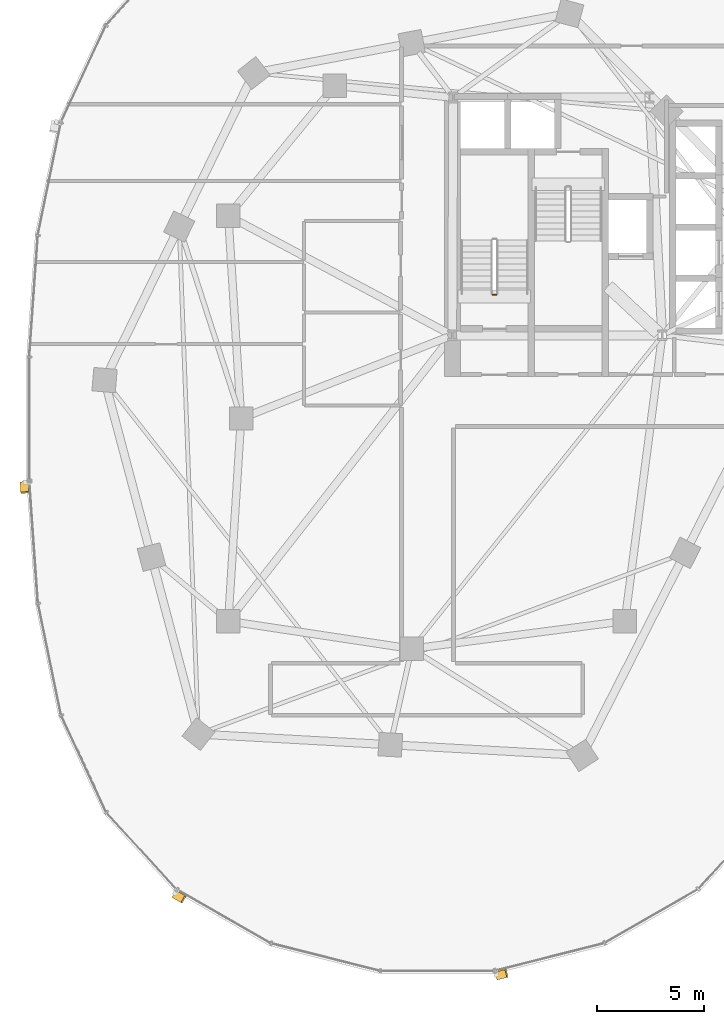
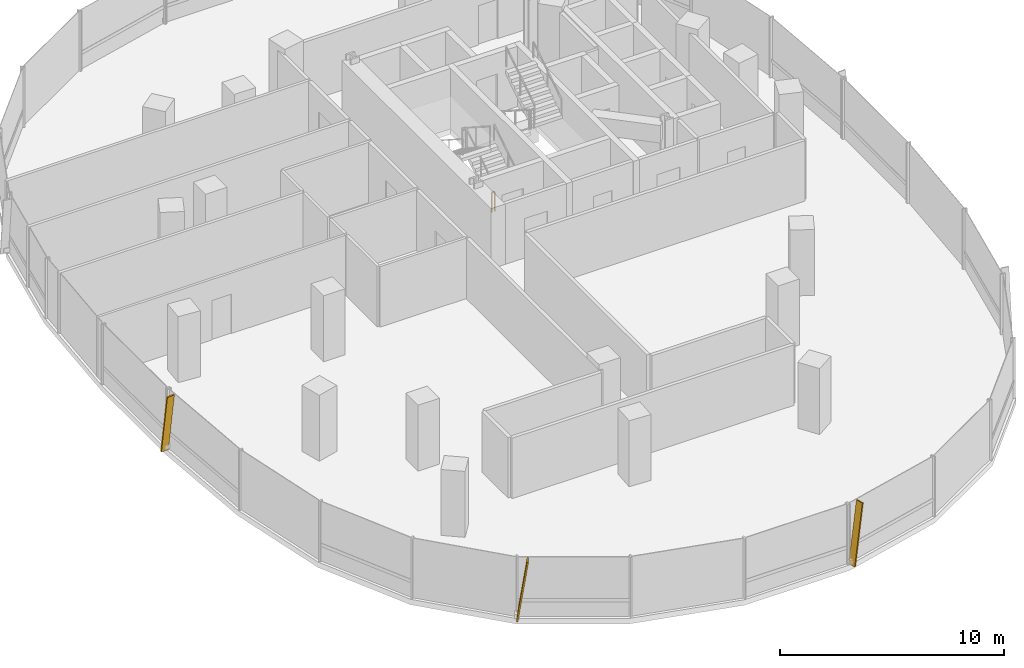
# One storey, part 17 of 21: 3 shading devices, 1 railing.
"""IFC4 building model written with IfcOpenShell, lengths in metres."""

from ifc_helpers import new_model, si_unit, direction, frame, origin, origin_2d, place, context, subcontext, project, spatial, rectangle, extrude, material, material_profile, profile_set, type_object, element, save


model = new_model("IFC4")

# Units and contexts
model_context = context("Model", 3, precision=1e-05, world=origin(), true_north=direction((0.0, 1.0)))
body_context = subcontext(model_context, "Body", "Model", "MODEL_VIEW")
ifc_project = project(units=[si_unit("LENGTHUNIT", "METRE"), si_unit("AREAUNIT", "SQUARE_METRE"), si_unit("VOLUMEUNIT", "CUBIC_METRE"), si_unit("PLANEANGLEUNIT", "RADIAN"), si_unit("MASSUNIT", "GRAM", prefix="KILO"), si_unit("THERMODYNAMICTEMPERATUREUNIT", "KELVIN"), si_unit("POWERUNIT", "WATT")], contexts=[model_context])

# Site, building, storey
site_placement = place(None, origin())
site = spatial("IfcSite", under=ifc_project, at=site_placement, CompositionType="ELEMENT")
building_placement = place(site_placement, origin())
building = spatial("IfcBuilding", under=site, at=building_placement, Name="Cundina Bronze Exchange", CompositionType="ELEMENT")
storey_placement = place(building_placement, frame((0.0, 0.0, 89.0)))
storey = spatial("IfcBuildingStorey", under=building, at=storey_placement, Name="L22", CompositionType="ELEMENT", Elevation=89.0)

# Railing
ifc_material_1 = material(Name="Steel ASTM A36 Painted", Category="steel")
railing_type = type_object("IfcRailingType", Name="RLG-STG-1100", PredefinedType="GUARDRAIL", material=ifc_material_1)
railing_placement = place(storey_placement, frame((-29.239990234375, 5.800048828125, 0.0)))
element("IfcRailing", 1, at=railing_placement, inside=storey, type_object=railing_type, Name="L22 ST-W1 stair guard 4", PredefinedType="GUARDRAIL", context=body_context, shape_type="SweptSolid", body=[
    extrude(rectangle(XDim=0.048095703125, YDim=0.048095703125, at=origin_2d()), frame((0.0, 0.0, 1.076171875), z_axis=(-1.0, 0.0, 0.0), x_axis=(0.0, -1.0, 0.0)), (0.0, 0.0, 1.0), 0.159912109375),
    extrude(rectangle(XDim=0.0419921875, YDim=0.0419921875, at=origin_2d()), origin(), (0.0, 0.0, 1.0), 1.052001953125),
    extrude(rectangle(XDim=0.0419921875, YDim=0.0419921875, at=origin_2d()), frame((-0.159912109375, 0.0, 0.0)), (0.0, 0.0, 1.0), 1.052001953125),
])

# Shading devices
ifc_material_2 = material(Name="Anodised Bronze Aluminium 6063-T6", Category="aluminium")
ifc_material_profile = material_profile(ifc_material_2, rectangle(XDim=0.070068359375, YDim=0.3798828125, at=origin_2d()), Name="FIN70X380", Category="aluminium")
ifc_profile_set = profile_set([ifc_material_profile], Name="Anodised Bronze Aluminium 6063-T6")
shading_device_type = type_object("IfcShadingDeviceType", Name="SHD-FIN-BRZ380", PredefinedType="USERDEFINED", material=ifc_profile_set)
for number, where, z_axis, x_axis, name in (
    (2, (-51.3740234375, -2.993896484375, 0.02001953125), (0.010224545828, -0.145292278041, 0.989335945271), (-0.069450050635, 0.986895284755, 0.145651595925), "L22 Diagonal Bronze Solar Fin 1"),
    (3, (-44.314208984375, -22.314208984375, 0.02001953125), (0.126324692219, -0.072534823274, 0.989333498649), (-0.857958278167, 0.492634108109, 0.145668213594), "L22 Diagonal Bronze Solar Fin 5"),
    (4, (-29.212646484375, -26.138427734375, 0.02001953125), (0.141217047268, 0.035711761166, 0.989334329575), (-0.95914051701, -0.242552848478, 0.145662570088), "L22 Diagonal Bronze Solar Fin 1"),
):
    element("IfcShadingDevice", number, at=place(storey_placement, frame(where, z_axis=z_axis, x_axis=x_axis)), inside=storey, type_object=shading_device_type, Name=name, ObjectType="FIN", PredefinedType="USERDEFINED", context=body_context, shape_type="SweptSolid", body=[
        extrude(rectangle(XDim=0.070068359375, YDim=0.3798828125, at=origin_2d()), origin(), (0.0, 0.0, 1.0), 3.295166015625),
    ])

save(model, "model.ifc")
